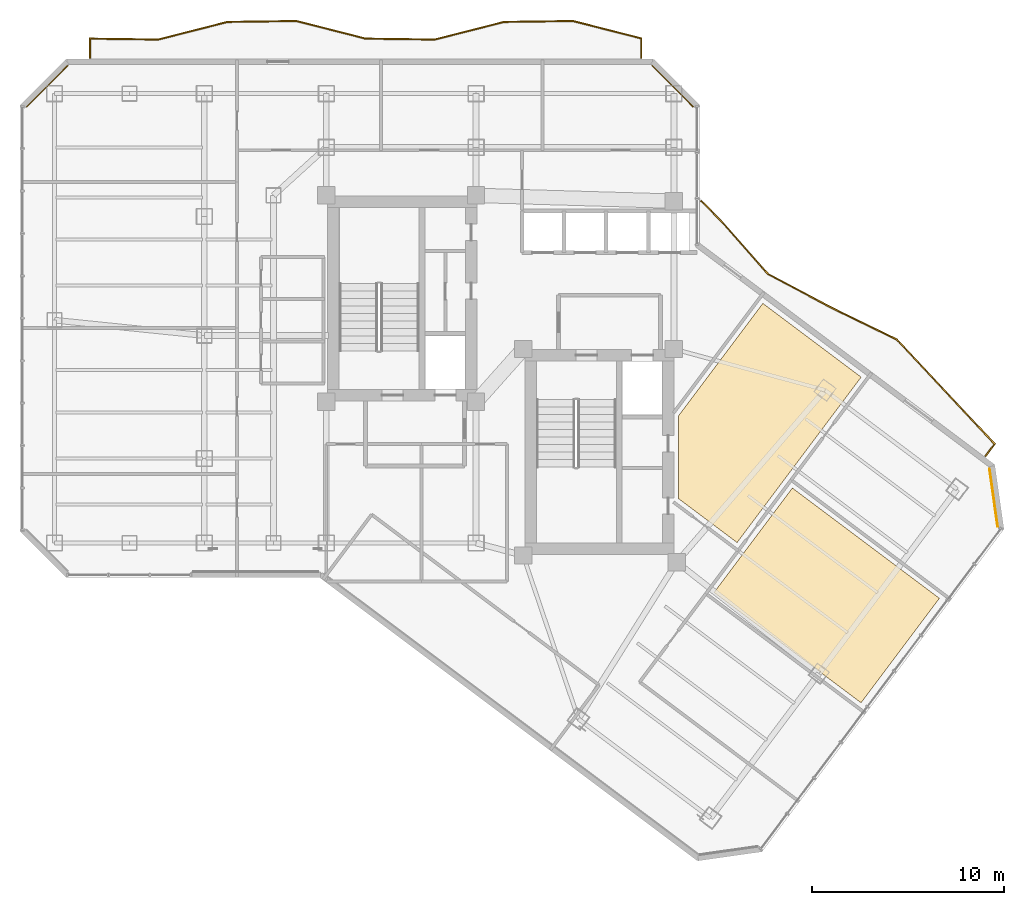
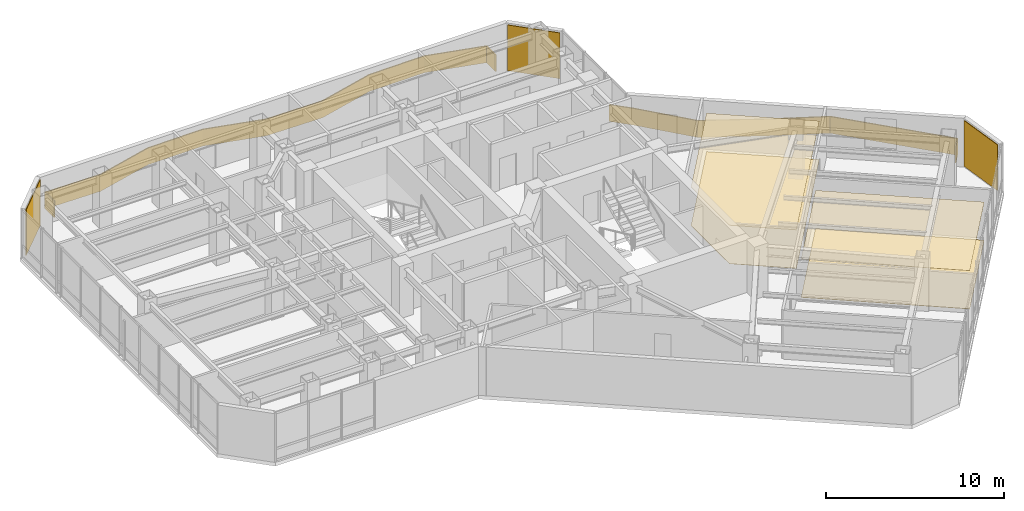
# One storey, part 27 of 27: 7 coverings, 2 railings.
"""IFC4 building model written with IfcOpenShell, lengths in metres."""

from ifc_helpers import new_model, si_unit, direction, frame, origin, origin_2d, place, context, subcontext, project, spatial, polyline, rectangle, outline, extrude, material, layer, layer_set, type_object, element, save


model = new_model("IFC4")

# Units and contexts
model_context = context("Model", 3, precision=1e-05, world=origin(), true_north=direction((0.0, 1.0)))
body_context = subcontext(model_context, "Body", "Model", "MODEL_VIEW")
ifc_project = project(units=[si_unit("LENGTHUNIT", "METRE"), si_unit("AREAUNIT", "SQUARE_METRE"), si_unit("VOLUMEUNIT", "CUBIC_METRE"), si_unit("PLANEANGLEUNIT", "RADIAN"), si_unit("MASSUNIT", "GRAM", prefix="KILO")], contexts=[model_context])

# Site, building, storey
site_placement = place(None, origin())
site = spatial("IfcSite", under=ifc_project, at=site_placement, CompositionType="ELEMENT")
building_placement = place(site_placement, origin())
building = spatial("IfcBuilding", under=site, at=building_placement, Name="Hatsunagi Terrace Concourse", CompositionType="ELEMENT")
storey_placement = place(building_placement, frame((0.0, 0.0, 142.050048828125)))
storey = spatial("IfcBuildingStorey", under=building, at=storey_placement, Name="L37", CompositionType="ELEMENT", Elevation=142.050048828125)

# Covering
ifc_material_1 = material(Name="Acoustic mineral board", Category="gypsum")
ifc_layer_1 = layer(ifc_material_1, 0.02001953125)
ifc_layer_set_1 = layer_set([ifc_layer_1], Name="AcousticMineralCeiling_20")
covering_type_1 = type_object("IfcCoveringType", Name="AcousticMineralCeiling_20", PredefinedType="CEILING", material=ifc_layer_set_1)
covering_1_placement = place(storey_placement, frame((0.0, 0.0, 2.6298828125)))
element("IfcCovering", 1, at=covering_1_placement, inside=storey, type_object=covering_type_1, Name="Suspended Ceiling L37-1", PredefinedType="CEILING", context=body_context, shape_type="SweptSolid", body=[
    extrude(outline(polyline([(57.47607421875, 22.318115234375), (49.820068359375, 28.06005859375), (45.739990234375, 22.6201171875), (53.39599609375, 16.8779296875), (57.47607421875, 22.318115234375)])), origin(), (0.0, 0.0, 1.0), 0.02001953125),
])

# Railings
ifc_material_2 = material(Name="Laminated Glass and Stainless Steel Guard", Category="steel")
ifc_layer_2 = layer(ifc_material_2, 0.070068359375)
ifc_layer_set_2 = layer_set([ifc_layer_2], Name="BalconyGlassGuardRail_1150")
railing_type = type_object("IfcRailingType", Name="BalconyGlassGuardRail_1150", PredefinedType="BALUSTRADE", material=ifc_layer_set_2)
railing_1_placement = place(storey_placement, origin())
element("IfcRailing", 2, at=railing_1_placement, inside=storey, type_object=railing_type, Name="Engawa Balcony Guard GRD-01 L37-BN-1", PredefinedType="BALUSTRADE", context=body_context, shape_type="SweptSolid", body=[
    extrude(outline(polyline([(13.215087890625, 50.449951171875), (13.284912109375, 50.449951171875), (13.284912109375, 51.428466796875), (16.810302734375, 51.3818359375), (20.41162109375, 52.300048828125), (23.98974609375, 52.347900390625), (27.58837890625, 51.43017578125), (31.210205078125, 51.3818359375), (34.8115234375, 52.300048828125), (38.389892578125, 52.347900390625), (41.9150390625, 51.44873046875), (41.9150390625, 50.449951171875), (41.985107421875, 50.449951171875), (41.985107421875, 51.503173828125), (38.398193359375, 52.418212890625), (34.802490234375, 52.369873046875), (31.201904296875, 51.4521484375), (27.59765625, 51.5), (23.998291015625, 52.418212890625), (20.40234375, 52.369873046875), (16.8017578125, 51.4521484375), (13.215087890625, 51.49951171875), (13.215087890625, 50.449951171875)])), origin(), (0.0, 0.0, 1.0), 1.14990234375),
])
railing_2_placement = place(storey_placement, origin())
element("IfcRailing", 3, at=railing_2_placement, inside=storey, type_object=railing_type, Name="Engawa Balcony Guard GRD-01 L37-BSE-1", PredefinedType="BALUSTRADE", context=body_context, shape_type="SweptSolid", body=[
    extrude(outline(polyline([(45.070556640625, 43.056884765625), (45.021484375, 43.007080078125), (46.01953125, 42.01708984375), (48.531005859375, 39.177001953125), (51.85400390625, 37.413818359375), (55.227783203125, 35.769287109375), (60.309326171875, 30.353515625), (59.842041015625, 29.73095703125), (59.89794921875, 29.68896484375), (60.400634765625, 30.3583984375), (55.27001953125, 35.82666015625), (51.885986328125, 37.476318359375), (48.574951171875, 39.23291015625), (46.070556640625, 42.06494140625), (45.070556640625, 43.056884765625)])), origin(), (0.0, 0.0, 1.0), 1.14990234375),
])

# Coverings
ifc_material_3 = material(Name="Granite stone paving", Category="masonry")
ifc_layer_3 = layer(ifc_material_3, 0.02490234375)
ifc_layer_set_3 = layer_set([ifc_layer_3], Name="GraniteStoneFlooring_25")
covering_type_2 = type_object("IfcCoveringType", Name="GraniteStoneFlooring_25", PredefinedType="FLOORING", material=ifc_layer_set_3)
covering_2_placement = place(storey_placement, origin())
element("IfcCovering", 4, at=covering_2_placement, inside=storey, type_object=covering_type_2, Name="Finished Flooring L37-1", PredefinedType="FLOORING", context=body_context, shape_type="SweptSolid", body=[
    extrude(outline(polyline([(57.47607421875, 22.318115234375), (49.820068359375, 28.06005859375), (45.739990234375, 22.6201171875), (53.39599609375, 16.8779296875), (57.47607421875, 22.318115234375)])), origin(), (0.0, 0.0, 1.0), 0.02490234375),
])
ifc_material_4 = material(Name="Hardwood timber", Category="wood")
ifc_layer_4 = layer(ifc_material_4, 0.014892578125)
ifc_layer_set_4 = layer_set([ifc_layer_4], Name="HardwoodTimberFlooring_15")
covering_type_3 = type_object("IfcCoveringType", Name="HardwoodTimberFlooring_15", PredefinedType="FLOORING", material=ifc_layer_set_4)
covering_3_placement = place(storey_placement, origin())
element("IfcCovering", 5, at=covering_3_placement, inside=storey, type_object=covering_type_3, Name="Finished Flooring L37-2", PredefinedType="FLOORING", context=body_context, shape_type="SweptSolid", body=[
    extrude(outline(polyline([(48.281982421875, 37.676025390625), (43.89990234375, 31.833984375), (43.89990234375, 27.5), (46.93994140625, 25.219970703125), (53.402099609375, 33.8359375), (48.281982421875, 37.676025390625)])), origin(), (0.0, 0.0, 1.0), 0.014892578125),
])
ifc_material_5 = material(Name="Unglazed Warm Terracotta Rainscreen Tile", Category="masonry")
ifc_layer_5 = layer(ifc_material_5, 0.044921875)
ifc_layer_set_5 = layer_set([ifc_layer_5], Name="TerracottaRainscreenCladding_45")
covering_type_4 = type_object("IfcCoveringType", Name="TerracottaRainscreenCladding_45", PredefinedType="CLADDING", material=ifc_layer_set_5)
for number, where, z_axis, x_axis, name in (
    (6, (60.301025390625, 27.55810546875, 0.10009765625), (0.0, 0.0, 1.0), (0.141250262458, -0.989973920543, 0.0), "Terracotta Rainscreen Cladding L37-02"),
    (7, (11.013916015625, 48.986083984375, 0.10009765625), (0.0, 0.0, 1.0), (0.707106781187, 0.707106781187, 0.0), "Terracotta Rainscreen Cladding L37-10"),
    (8, (43.5859375, 48.986083984375, 0.10009765625), (0.0, 0.0, 1.0), (0.707106781187, -0.707106781187, 0.0), "Terracotta Rainscreen Cladding L37-12"),
):
    element("IfcCovering", number, at=place(storey_placement, frame(where, z_axis=z_axis, x_axis=x_axis)), inside=storey, type_object=covering_type_4, Name=name, PredefinedType="CLADDING", context=body_context, shape_type="SweptSolid", body=[
        extrude(rectangle(XDim=3.0380859375, YDim=0.044921875, at=origin_2d()), origin(), (0.0, 0.0, 1.0), 3.14990234375),
    ])
ifc_material_6 = material(Name="Hardwood timber", Category="wood")
ifc_layer_6 = layer(ifc_material_6, 0.034912109375)
ifc_layer_set_6 = layer_set([ifc_layer_6], Name="TimberBaffleCeiling_35")
covering_type_5 = type_object("IfcCoveringType", Name="TimberBaffleCeiling_35", PredefinedType="CEILING", material=ifc_layer_set_6)
covering_4_placement = place(storey_placement, frame((0.0, 0.0, 2.6298828125)))
element("IfcCovering", 9, at=covering_4_placement, inside=storey, type_object=covering_type_5, Name="Suspended Ceiling L37-2", PredefinedType="CEILING", context=body_context, shape_type="SweptSolid", body=[
    extrude(outline(polyline([(48.281982421875, 37.676025390625), (43.89990234375, 31.833984375), (43.89990234375, 27.5), (46.93994140625, 25.219970703125), (53.402099609375, 33.8359375), (48.281982421875, 37.676025390625)])), origin(), (0.0, 0.0, 1.0), 0.03515625),
])

save(model, "model.ifc")
